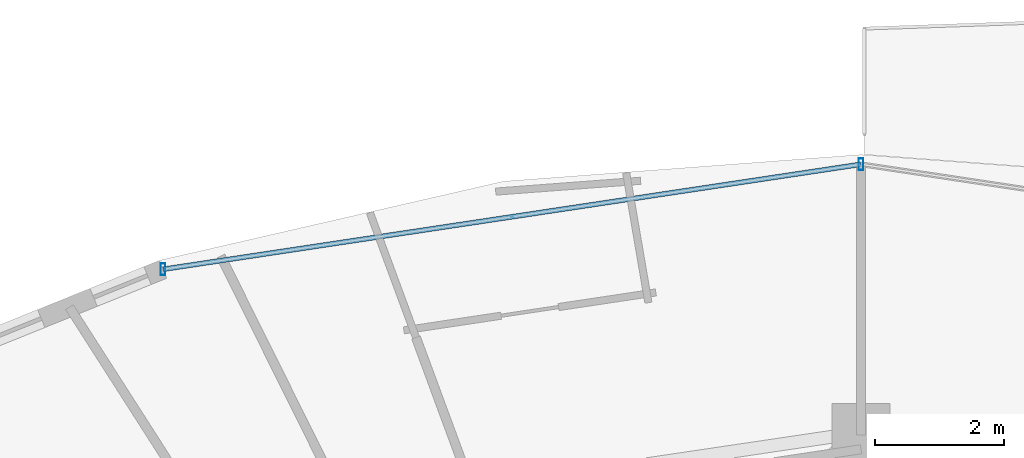
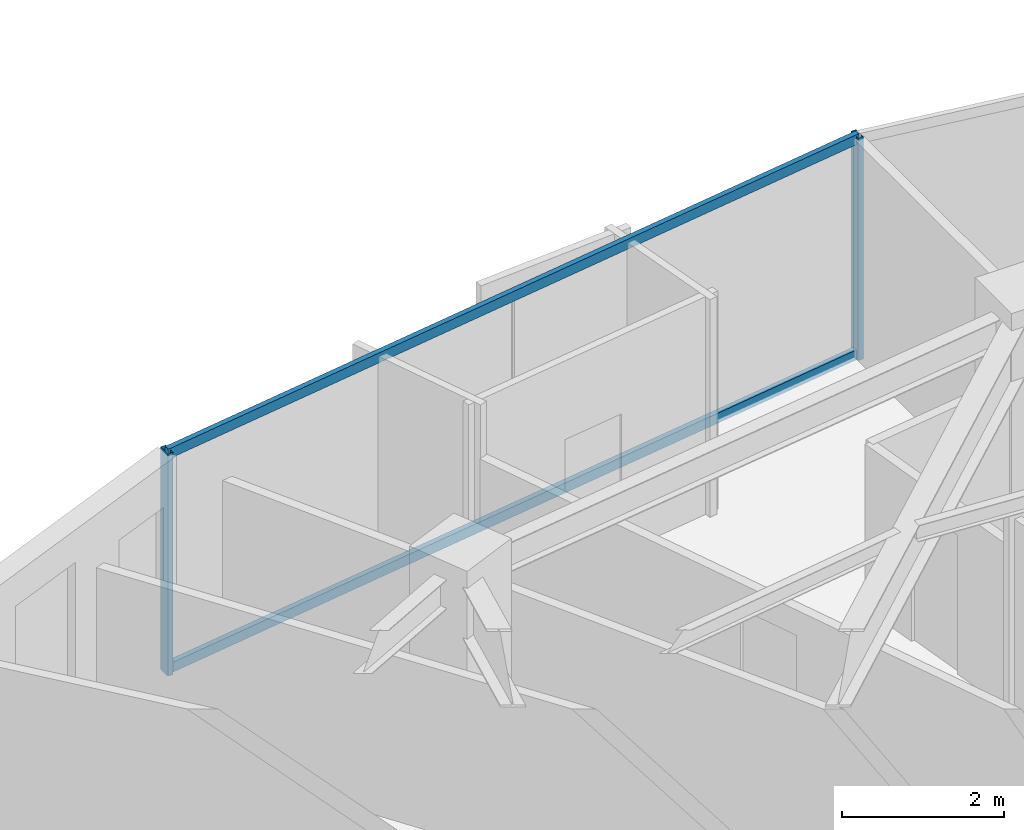
# One storey, part 19 of 33: 4 members, 1 element without a shape of its own.
"""IFC4 building model written with IfcOpenShell, lengths in metres."""

import ifcopenshell
import ifcopenshell.guid

model = None  # the IFC model being written
_history = None  # IfcOwnerHistory: only IFC2X3 demands one
_inside = {}  # id of a spatial element -> (the spatial element, [elements in it])
_under = {}  # id of a project, library or spatial element -> (it, [spatial elements below it])
_declared = {}  # id of a project -> (the project, [libraries it declares])
_typed = {}  # id of a type object -> (the type object, [elements of that type])
_made_of = {}  # id of a material, layer set ... -> (it, [elements and type objects made of it])


def new_model(schema):
    """Start an empty IFC model of exactly this schema.

    Asked for "IFC4X3", IfcOpenShell would pick the latest addendum, in which some entities
    have other attributes; the version numbers below select the first issue.
    IFC2X3 requires an IfcOwnerHistory on every rooted entity: one is made here for all.
    """
    global model, _history
    if schema == "IFC4X3":
        model = ifcopenshell.file(schema_version=(4, 3, 0, 0))
    else:
        model = ifcopenshell.file(schema=schema)
    _inside.clear()
    _under.clear()
    _declared.clear()
    _typed.clear()
    _made_of.clear()
    _history = None
    if model.schema == "IFC2X3":
        org = make("IfcOrganization", Name="unknown")
        user = make(
            "IfcPersonAndOrganization",
            ThePerson=make("IfcPerson", FamilyName="unknown"),
            TheOrganization=org,
        )
        app = make(
            "IfcApplication",
            ApplicationDeveloper=org,
            Version="unknown",
            ApplicationFullName="unknown",
            ApplicationIdentifier="unknown",
        )
        _history = make(
            "IfcOwnerHistory",
            OwningUser=user,
            OwningApplication=app,
            ChangeAction="ADDED",
            CreationDate=0,
        )
    return model


def make(cls, **values):
    """One entity of the class cls with the attributes given. An attribute that is None is left unset."""
    return model.create_entity(
        cls, **{name: value for name, value in values.items() if value is not None}
    )


def rooted(cls, **values):
    """An entity with a GlobalId (a new one), such as an element, a storey or a relation."""
    return make(cls, GlobalId=ifcopenshell.guid.new(), OwnerHistory=_history, **values)


def si_unit(unit_type, name, prefix=None):
    """IfcSIUnit, for example si_unit("LENGTHUNIT", "METRE", prefix="MILLI")."""
    return make("IfcSIUnit", UnitType=unit_type, Prefix=prefix, Name=name)


def assignment(units):
    """IfcUnitAssignment: the units of a project."""
    return None if units is None else make("IfcUnitAssignment", Units=units)


def point(xyz):
    """IfcCartesianPoint."""
    return None if xyz is None else make("IfcCartesianPoint", Coordinates=xyz)


def direction(xyz):
    """IfcDirection."""
    return None if xyz is None else make("IfcDirection", DirectionRatios=xyz)


def frame(location, z_axis=None, x_axis=None):
    """IfcAxis2Placement3D, a coordinate frame: its origin and axes. An axis left out is left unset."""
    return make(
        "IfcAxis2Placement3D",
        Location=point(location),
        Axis=direction(z_axis),
        RefDirection=direction(x_axis),
    )


def frame_2d(location, x_axis=None):
    """IfcAxis2Placement2D, a coordinate frame in the plane: its origin and x axis."""
    return make(
        "IfcAxis2Placement2D", Location=point(location), RefDirection=direction(x_axis)
    )


def origin():
    """The frame at (0, 0, 0) with its axes left unset."""
    return frame((0.0, 0.0, 0.0))


def origin_2d():
    """The frame at (0, 0) in the plane with its x axis left unset."""
    return frame_2d((0.0, 0.0))


def place(relative_to, where):
    """IfcLocalPlacement: puts the frame where relative to a parent placement (None: the world)."""
    return make(
        "IfcLocalPlacement", PlacementRelTo=relative_to, RelativePlacement=where
    )


def context(
    kind, dimensions, precision=None, world=None, true_north=None, identifier=None
):
    """IfcGeometricRepresentationContext, for example the 3D "Model" context."""
    return make(
        "IfcGeometricRepresentationContext",
        ContextIdentifier=identifier,
        ContextType=kind,
        CoordinateSpaceDimension=dimensions,
        Precision=precision,
        WorldCoordinateSystem=world,
        TrueNorth=true_north,
    )


def subcontext(parent, identifier, kind, view, scale=None):
    """IfcGeometricRepresentationSubContext, for example "Body" below "Model"."""
    return make(
        "IfcGeometricRepresentationSubContext",
        ContextIdentifier=identifier,
        ContextType=kind,
        ParentContext=parent,
        TargetScale=scale,
        TargetView=view,
    )


def project(units=None, contexts=None):
    """IfcProject with its units and contexts."""
    return rooted(
        "IfcProject",
        Name="project",
        RepresentationContexts=contexts,
        UnitsInContext=assignment(units),
    )


def spatial(cls, under=None, at=None, **own):
    """A site, building, storey or space (cls), placed at a placement, below another one or the project."""
    s = rooted(cls, ObjectPlacement=at, **own)
    if under is not None:
        _under.setdefault(under.id(), (under, []))[1].append(s)
    return s


def profile(cls, at=None, kind="AREA", **sizes):
    """A parametric profile (cls). Its sizes go by their IFC names, for example OverallWidth=200.0."""
    return make(cls, ProfileType=kind, Position=at, **sizes)


def hollow_rectangle(**sizes):
    """IfcRectangleHollowProfileDef."""
    return profile("IfcRectangleHollowProfileDef", **sizes)


def extrude(swept, where, along, depth):
    """IfcExtrudedAreaSolid: the profile swept, set in the frame where, extruded along a direction by depth."""
    return make(
        "IfcExtrudedAreaSolid",
        SweptArea=swept,
        Position=where,
        ExtrudedDirection=direction(along),
        Depth=depth,
    )


def shape(context_of_items, identifier, shape_type, items):
    """IfcShapeRepresentation: the items that make up one representation, for example the "Body"."""
    return make(
        "IfcShapeRepresentation",
        ContextOfItems=context_of_items,
        RepresentationIdentifier=identifier,
        RepresentationType=shape_type,
        Items=items,
    )


def material(Name=None, Category=None):
    """IfcMaterial."""
    return make("IfcMaterial", Name=Name, Category=Category)


def material_profile(
    of_material, cross_section, Name=None, Category=None, Priority=None
):
    """IfcMaterialProfile: a cross section and its material."""
    return make(
        "IfcMaterialProfile",
        Name=Name,
        Material=of_material,
        Profile=cross_section,
        Priority=Priority,
        Category=Category,
    )


def profile_set(profiles, Name=None, composite=None):
    """IfcMaterialProfileSet."""
    return make(
        "IfcMaterialProfileSet",
        Name=Name,
        MaterialProfiles=profiles,
        CompositeProfile=composite,
    )


def made_of(thing, what):
    """Note that an element or type object is made of a material, layer set ...; save() writes the relation."""
    if what is not None:
        _made_of.setdefault(what.id(), (what, []))[1].append(thing)
    return thing


def type_object(cls, material=None, **own):
    """A type object (cls), such as IfcWallType, which elements share."""
    return made_of(rooted(cls, **own), material)


def element(
    cls,
    number,
    at=None,
    inside=None,
    cuts=None,
    type_object=None,
    material=None,
    context=None,
    identifier="Body",
    shape_type=None,
    held_by="IfcProductDefinitionShape",
    body=None,
    shapes=None,
    **own,
):
    """One element of the class cls, such as IfcWall. Its Tag is "e" and its number.

    at: its placement. inside: the storey or other place that contains it. cuts: it is an
    opening in that element (IfcRelVoidsElement). A single representation is given by context,
    identifier, shape_type and body (its items); several are given by shapes. held_by: the class
    of the entity that holds the representations. save() writes the other relations.
    """
    e = rooted(cls, Tag="e%d" % number, ObjectPlacement=at, **own)
    if body is not None:
        shapes = [shape(context, identifier, shape_type, body)]
    if shapes is not None:
        e.Representation = make(held_by, Representations=shapes)
    if inside is not None:
        _inside.setdefault(inside.id(), (inside, []))[1].append(e)
    if cuts is not None:
        rooted(
            "IfcRelVoidsElement", RelatingBuildingElement=cuts, RelatedOpeningElement=e
        )
    if type_object is not None:
        _typed.setdefault(type_object.id(), (type_object, []))[1].append(e)
    return made_of(e, material)


def aggregate(whole, parts):
    """IfcRelAggregates: a whole, such as a stair, and the parts it consists of."""
    return rooted("IfcRelAggregates", RelatingObject=whole, RelatedObjects=parts)


def save(model, path):
    """Write the relations noted so far, then the file.

    IfcRelAggregates (storeys below a building ...), IfcRelContainedInSpatialStructure (elements
    in a storey), IfcRelDefinesByType, IfcRelAssociatesMaterial and IfcRelDeclares: one each for
    every whole, place, type object, material and project.
    """
    for whole, parts in _under.values():
        aggregate(whole, parts)
    for where, things in _inside.values():
        rooted(
            "IfcRelContainedInSpatialStructure",
            RelatedElements=things,
            RelatingStructure=where,
        )
    for kind, things in _typed.values():
        rooted("IfcRelDefinesByType", RelatedObjects=things, RelatingType=kind)
    for what, things in _made_of.values():
        rooted("IfcRelAssociatesMaterial", RelatedObjects=things, RelatingMaterial=what)
    for by, libraries in _declared.values():
        rooted("IfcRelDeclares", RelatingContext=by, RelatedDefinitions=libraries)
    model.write(path)


model = new_model("IFC4")

# Units and contexts
model_context = context("Model", 3, precision=1e-05, world=origin(), true_north=direction((0.0, 1.0)))
body_context = subcontext(model_context, "Body", "Model", "MODEL_VIEW")
ifc_project = project(units=[si_unit("LENGTHUNIT", "METRE"), si_unit("AREAUNIT", "SQUARE_METRE"), si_unit("VOLUMEUNIT", "CUBIC_METRE"), si_unit("PLANEANGLEUNIT", "RADIAN"), si_unit("MASSUNIT", "GRAM", prefix="KILO")], contexts=[model_context])

# Site, building, storey
site_placement = place(None, origin())
site = spatial("IfcSite", under=ifc_project, at=site_placement, CompositionType="ELEMENT")
building_placement = place(site_placement, origin())
building = spatial("IfcBuilding", under=site, at=building_placement, Name="Vorneva Point Tower", CompositionType="ELEMENT")
storey_placement = place(building_placement, frame((0.0, 0.0, 200.10009765625)))
storey = spatial("IfcBuildingStorey", under=building, at=storey_placement, Name="L54", CompositionType="ELEMENT", Elevation=200.10009765625)

# Curtain wall, members
ifc_material = material(Name="Pale anodised aluminium", Category="aluminium")
curtain_wall_type = type_object("IfcCurtainWallType", Name="CW-RES-SYS", PredefinedType="NOTDEFINED", material=ifc_material)
curtain_wall_placement = place(storey_placement, origin())
curtain_wall = element("IfcCurtainWall", 1, at=curtain_wall_placement, inside=storey, type_object=curtain_wall_type, Name="L54 Unitised Curtain Wall CW-L54-R01", PredefinedType="NOTDEFINED")
ifc_material_profile_1 = material_profile(ifc_material, hollow_rectangle(XDim=0.074951171875, YDim=0.179931640625, WallThickness=0.00390625, at=origin_2d()), Name="AL-MUL 180x75x4")
ifc_profile_set_1 = profile_set([ifc_material_profile_1], Name="Pale anodised aluminium")
member_type_1 = type_object("IfcMemberType", Name="CW-MUL-180", PredefinedType="MULLION", material=ifc_profile_set_1)
member_1_placement = place(storey_placement, frame((38.0, 47.35009765625, -0.0400390625), z_axis=(0.0, 0.0, 1.0), x_axis=(1.0, 0.0, 0.0)))
member_1 = element("IfcMember", 2, at=member_1_placement, type_object=member_type_1, Name="CW-L54-R01 Mullion 04", PredefinedType="MULLION", context=body_context, shape_type="SweptSolid", body=[
    extrude(hollow_rectangle(XDim=0.074951171875, YDim=0.179931640625, WallThickness=0.00390625, at=origin_2d()), origin(), (0.0, 0.0, 1.0), 3.35986328125),
])
member_2_placement = place(storey_placement, frame((27.19677734375, 45.724853515625, -0.0400390625), z_axis=(0.0, 0.0, 1.0), x_axis=(1.0, 0.0, 0.0)))
member_2 = element("IfcMember", 3, at=member_2_placement, type_object=member_type_1, Name="CW-L54-R01 Mullion 05", PredefinedType="MULLION", context=body_context, shape_type="SweptSolid", body=[
    extrude(hollow_rectangle(XDim=0.074951171875, YDim=0.179931640625, WallThickness=0.00390625, at=origin_2d()), origin(), (0.0, 0.0, 1.0), 3.35986328125),
])
ifc_material_profile_2 = material_profile(ifc_material, hollow_rectangle(XDim=0.074951171875, YDim=0.14990234375, WallThickness=0.00390625, at=origin_2d()), Name="AL-TRN 150x75x4")
ifc_profile_set_2 = profile_set([ifc_material_profile_2], Name="Pale anodised aluminium")
member_type_2 = type_object("IfcMemberType", Name="CW-TRN-150", PredefinedType="USERDEFINED", material=ifc_profile_set_2)
member_3_placement = place(storey_placement, frame((38.0, 47.35009765625, 0.02001953125), z_axis=(-0.988872333273, -0.148766624239, 0.0), x_axis=(0.148766624239, -0.988872333273, 0.0)))
member_3 = element("IfcMember", 4, at=member_3_placement, type_object=member_type_2, Name="CW-L54-R01 Transom 04.1", ObjectType="TRANSOM", PredefinedType="USERDEFINED", context=body_context, shape_type="SweptSolid", body=[
    extrude(hollow_rectangle(XDim=0.074951171875, YDim=0.14990234375, WallThickness=0.00390625, at=origin_2d()), origin(), (0.0, 0.0, 1.0), 10.9248046875),
])
member_4_placement = place(storey_placement, frame((38.0, 47.35009765625, 3.27001953125), z_axis=(-0.988872333273, -0.148766624239, 0.0), x_axis=(0.148766624239, -0.988872333273, 0.0)))
member_4 = element("IfcMember", 5, at=member_4_placement, type_object=member_type_2, Name="CW-L54-R01 Transom 04.2", ObjectType="TRANSOM", PredefinedType="USERDEFINED", context=body_context, shape_type="SweptSolid", body=[
    extrude(hollow_rectangle(XDim=0.074951171875, YDim=0.14990234375, WallThickness=0.00390625, at=origin_2d()), origin(), (0.0, 0.0, 1.0), 10.9248046875),
])
aggregate(curtain_wall, [member_1, member_2, member_3, member_4])

save(model, "model.ifc")
